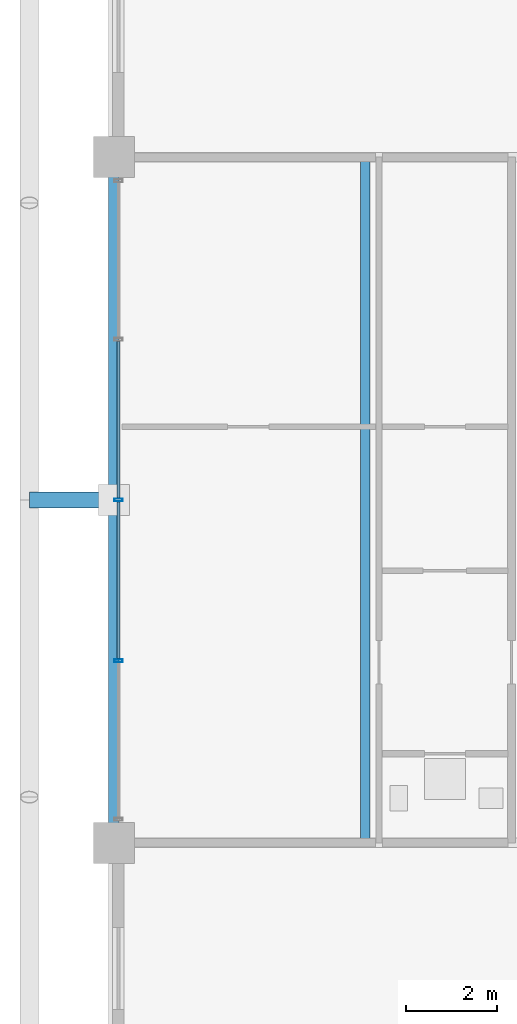
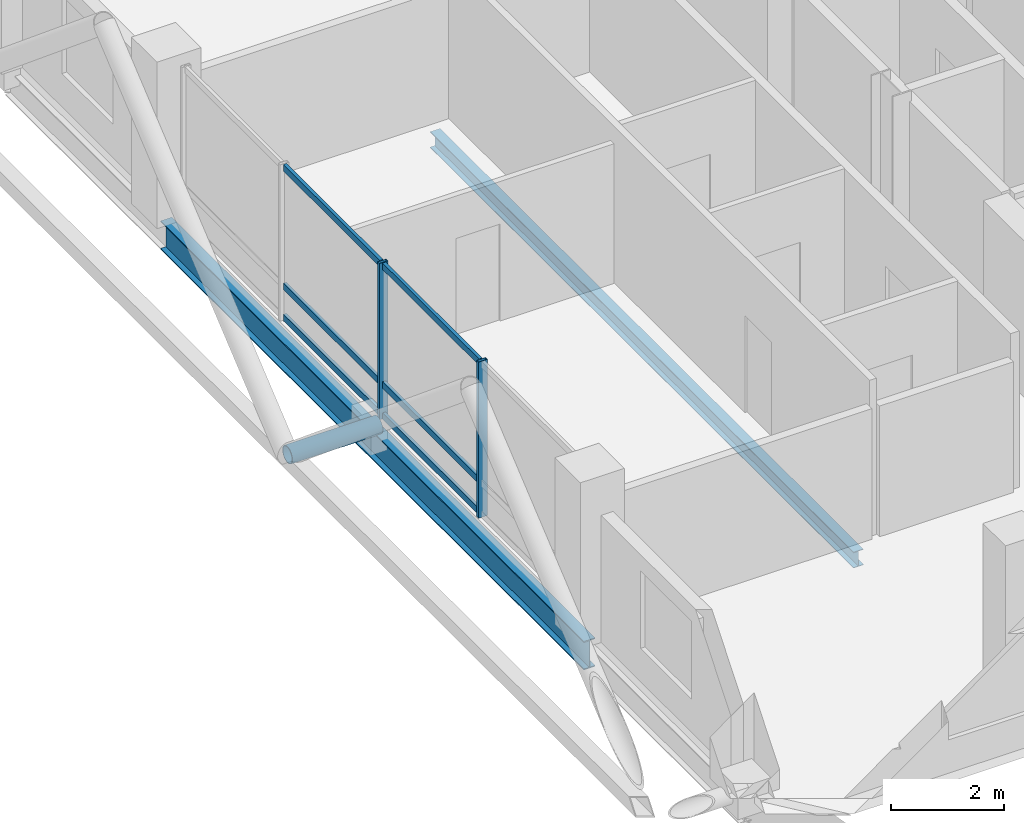
# One storey, part 8 of 25: 9 members, 2 beams, 1 element without a shape of its own.
"""IFC4 building model written with IfcOpenShell, lengths in metres."""

from ifc_helpers import new_model, si_unit, direction, frame, origin, origin_2d, place, context, subcontext, project, spatial, hollow_rectangle, hollow_circle, i_section, extrude, material, layer, layer_set, material_profile, profile_set, type_object, element, aggregate, save


model = new_model("IFC4")

# Units and contexts
model_context = context("Model", 3, precision=1e-05, world=origin(), true_north=direction((0.0, 1.0)))
body_context = subcontext(model_context, "Body", "Model", "MODEL_VIEW")
ifc_project = project(units=[si_unit("LENGTHUNIT", "METRE"), si_unit("AREAUNIT", "SQUARE_METRE"), si_unit("VOLUMEUNIT", "CUBIC_METRE"), si_unit("PLANEANGLEUNIT", "RADIAN"), si_unit("MASSUNIT", "GRAM", prefix="KILO")], contexts=[model_context])

# Site, building, storey
site_placement = place(None, origin())
site = spatial("IfcSite", under=ifc_project, at=site_placement, CompositionType="ELEMENT")
building_placement = place(site_placement, origin())
building = spatial("IfcBuilding", under=site, at=building_placement, Name="Barlavira Tower and Art Museum", CompositionType="ELEMENT")
storey_placement = place(building_placement, frame((0.0, 0.0, 229.5)))
storey = spatial("IfcBuildingStorey", under=building, at=storey_placement, Name="L59", CompositionType="ELEMENT", Elevation=229.5)

# Curtain wall, members
ifc_material_1 = material(Name="Low-iron coastal laminated glass", Category="glass")
ifc_layer = layer(ifc_material_1, 0.2099609375, Name="Low-iron coastal laminated glass")
ifc_layer_set = layer_set([ifc_layer], Name="Low-iron coastal laminated glass")
curtain_wall_type = type_object("IfcCurtainWallType", Name="Pale-Metal Unitised Curtain Wall Zone 4", PredefinedType="NOTDEFINED", material=ifc_layer_set)
curtain_wall_placement = place(storey_placement, origin())
curtain_wall = element("IfcCurtainWall", 1, at=curtain_wall_placement, inside=storey, type_object=curtain_wall_type, Name="L59 Curtain Wall CW4-L59-W-B3", PredefinedType="NOTDEFINED")
ifc_material_2 = material(Name="Pale anodised aluminium", Category="aluminium")
ifc_material_profile_1 = material_profile(ifc_material_2, hollow_rectangle(XDim=0.06494140625, YDim=0.179931640625, WallThickness=0.00390625, at=origin_2d()), Name="ALU-MULL 65x180x4")
ifc_profile_set_1 = profile_set([ifc_material_profile_1], Name="Pale anodised aluminium")
member_type_1 = type_object("IfcMemberType", Name="Curtain Wall Pale-Metal Mullion 65x180", PredefinedType="MULLION", material=ifc_profile_set_1)
member_1_placement = place(storey_placement, frame((-16.89990234375, 0.0, 0.0), z_axis=(0.0, 0.0, 1.0), x_axis=(0.0, -1.0, 0.0)))
member_1 = element("IfcMember", 2, at=member_1_placement, type_object=member_type_1, Name="CW4-L59-W-B3 Mullion 2", PredefinedType="MULLION", context=body_context, shape_type="SweptSolid", body=[
    extrude(hollow_rectangle(XDim=0.06494140625, YDim=0.179931640625, WallThickness=0.00390625, at=origin_2d()), origin(), (0.0, 0.0, 1.0), 3.3798828125),
])
member_2_placement = place(storey_placement, frame((-16.89990234375, -3.514892578125, 0.0), z_axis=(0.0, 0.0, 1.0), x_axis=(0.0, -1.0, 0.0)))
member_2 = element("IfcMember", 3, at=member_2_placement, type_object=member_type_1, Name="CW4-L59-W-B3 Mullion 3", PredefinedType="MULLION", context=body_context, shape_type="SweptSolid", body=[
    extrude(hollow_rectangle(XDim=0.06494140625, YDim=0.179931640625, WallThickness=0.00390625, at=origin_2d()), origin(), (0.0, 0.0, 1.0), 3.3798828125),
])
ifc_material_profile_2 = material_profile(ifc_material_2, hollow_rectangle(XDim=0.06494140625, YDim=0.139892578125, WallThickness=0.00390625, at=origin_2d()), Name="ALU-TRAN 65x140x4")
ifc_profile_set_2 = profile_set([ifc_material_profile_2], Name="Pale anodised aluminium")
member_type_2 = type_object("IfcMemberType", Name="Curtain Wall Pale-Metal Transom 65x140", PredefinedType="USERDEFINED", material=ifc_profile_set_2)
member_3_placement = place(storey_placement, frame((-16.89990234375, 3.469970703125, 0.070068359375), z_axis=(0.0, -1.0, 0.0), x_axis=(1.0, 0.0, 0.0)))
member_3 = element("IfcMember", 4, at=member_3_placement, type_object=member_type_2, Name="CW4-L59-W-B3 Transom 1.1", ObjectType="TRANSOM", PredefinedType="USERDEFINED", context=body_context, shape_type="SweptSolid", body=[
    extrude(hollow_rectangle(XDim=0.06494140625, YDim=0.139892578125, WallThickness=0.00390625, at=origin_2d()), origin(), (0.0, 0.0, 1.0), 3.425048828125),
])
member_4_placement = place(storey_placement, frame((-16.89990234375, 3.469970703125, 0.743896484375), z_axis=(0.0, -1.0, 0.0), x_axis=(1.0, 0.0, 0.0)))
member_4 = element("IfcMember", 5, at=member_4_placement, type_object=member_type_2, Name="CW4-L59-W-B3 Transom 1.2", ObjectType="TRANSOM", PredefinedType="USERDEFINED", context=body_context, shape_type="SweptSolid", body=[
    extrude(hollow_rectangle(XDim=0.06494140625, YDim=0.139892578125, WallThickness=0.00390625, at=origin_2d()), origin(), (0.0, 0.0, 1.0), 3.425048828125),
])
member_5_placement = place(storey_placement, frame((-16.89990234375, 3.469970703125, 3.31005859375), z_axis=(0.0, -1.0, 0.0), x_axis=(1.0, 0.0, 0.0)))
member_5 = element("IfcMember", 6, at=member_5_placement, type_object=member_type_2, Name="CW4-L59-W-B3 Transom 1.3", ObjectType="TRANSOM", PredefinedType="USERDEFINED", context=body_context, shape_type="SweptSolid", body=[
    extrude(hollow_rectangle(XDim=0.06494140625, YDim=0.139892578125, WallThickness=0.00390625, at=origin_2d()), origin(), (0.0, 0.0, 1.0), 3.425048828125),
])
member_6_placement = place(storey_placement, frame((-16.89990234375, -0.044921875, 0.070068359375), z_axis=(0.0, -1.0, 0.0), x_axis=(1.0, 0.0, 0.0)))
member_6 = element("IfcMember", 7, at=member_6_placement, type_object=member_type_2, Name="CW4-L59-W-B3 Transom 2.1", ObjectType="TRANSOM", PredefinedType="USERDEFINED", context=body_context, shape_type="SweptSolid", body=[
    extrude(hollow_rectangle(XDim=0.06494140625, YDim=0.139892578125, WallThickness=0.00390625, at=origin_2d()), origin(), (0.0, 0.0, 1.0), 3.425048828125),
])
member_7_placement = place(storey_placement, frame((-16.89990234375, -0.044921875, 0.743896484375), z_axis=(0.0, -1.0, 0.0), x_axis=(1.0, 0.0, 0.0)))
member_7 = element("IfcMember", 8, at=member_7_placement, type_object=member_type_2, Name="CW4-L59-W-B3 Transom 2.2", ObjectType="TRANSOM", PredefinedType="USERDEFINED", context=body_context, shape_type="SweptSolid", body=[
    extrude(hollow_rectangle(XDim=0.06494140625, YDim=0.139892578125, WallThickness=0.00390625, at=origin_2d()), origin(), (0.0, 0.0, 1.0), 3.425048828125),
])
member_8_placement = place(storey_placement, frame((-16.89990234375, -0.044921875, 3.31005859375), z_axis=(0.0, -1.0, 0.0), x_axis=(1.0, 0.0, 0.0)))
member_8 = element("IfcMember", 9, at=member_8_placement, type_object=member_type_2, Name="CW4-L59-W-B3 Transom 2.3", ObjectType="TRANSOM", PredefinedType="USERDEFINED", context=body_context, shape_type="SweptSolid", body=[
    extrude(hollow_rectangle(XDim=0.06494140625, YDim=0.139892578125, WallThickness=0.00390625, at=origin_2d()), origin(), (0.0, 0.0, 1.0), 3.425048828125),
])
aggregate(curtain_wall, [member_1, member_2, member_3, member_4, member_5, member_6, member_7, member_8])

# Member
ifc_material_3 = material(Name="Steel S355", Category="steel")
ifc_material_profile_3 = material_profile(ifc_material_3, hollow_circle(Radius=0.177734375, WallThickness=0.01611328125, at=origin_2d()), Name="CHS 355.6x16.0")
ifc_profile_set_3 = profile_set([ifc_material_profile_3], Name="Steel S355")
member_type_3 = type_object("IfcMemberType", Name="Pale-Metal Exoskeleton Tie Strut CHS 356x16 Steel S355", PredefinedType="STRUT", material=ifc_profile_set_3)
member_9_placement = place(storey_placement, frame((-18.85009765625, 0.0, -0.1201171875), z_axis=(1.0, 0.0, 0.0), x_axis=(0.0, 1.0, 0.0)))
element("IfcMember", 10, at=member_9_placement, inside=storey, type_object=member_type_3, Name="L59 Exoskeleton Tie Strut W2", PredefinedType="STRUT", context=body_context, shape_type="SweptSolid", body=[
    extrude(hollow_circle(Radius=0.177734375, WallThickness=0.01611328125, at=origin_2d()), origin(), (0.0, 0.0, 1.0), 1.85009765625),
])

# Beams
ifc_material_profile_4 = material_profile(ifc_material_3, i_section(OverallWidth=0.22998046875, OverallDepth=0.616943359375, WebThickness=0.01318359375, FlangeThickness=0.022216796875, at=origin_2d()), Name="W610x140.0")
ifc_profile_set_4 = profile_set([ifc_material_profile_4], Name="Steel S355")
beam_type_1 = type_object("IfcBeamType", Name="Upper Shaft Spandrel Edge Beam W610x140 Steel S355", PredefinedType="SPANDREL", material=ifc_profile_set_4)
beam_1_placement = place(storey_placement, frame((-17.0, -7.5, -0.528564453125), z_axis=(0.0, 1.0, 0.0), x_axis=(-1.0, 0.0, 0.0)))
element("IfcBeam", 11, at=beam_1_placement, inside=storey, type_object=beam_type_1, Name="L59 Spandrel 14", PredefinedType="SPANDREL", context=body_context, shape_type="SweptSolid", body=[
    extrude(i_section(OverallWidth=0.22998046875, OverallDepth=0.616943359375, WebThickness=0.01318359375, FlangeThickness=0.022216796875, at=origin_2d()), origin(), (0.0, 0.0, 1.0), 15.0),
])
ifc_material_profile_5 = material_profile(ifc_material_3, i_section(OverallWidth=0.202880859375, OverallDepth=0.346923828125, WebThickness=0.0078125, FlangeThickness=0.013427734375, at=origin_2d()), Name="W360x64.0")
ifc_profile_set_5 = profile_set([ifc_material_profile_5], Name="Steel S355")
beam_type_2 = type_object("IfcBeamType", Name="Zone 4 Composite Floor Joist W360x64 Steel S355", PredefinedType="JOIST", material=ifc_profile_set_5)
beam_2_placement = place(storey_placement, frame((-11.5, -7.5, -0.3935546875), z_axis=(0.0, 1.0, 0.0), x_axis=(-1.0, 0.0, 0.0)))
element("IfcBeam", 12, at=beam_2_placement, inside=storey, type_object=beam_type_2, Name="L59 Joist W1", PredefinedType="JOIST", context=body_context, shape_type="SweptSolid", body=[
    extrude(i_section(OverallWidth=0.202880859375, OverallDepth=0.346923828125, WebThickness=0.0078125, FlangeThickness=0.013427734375, at=origin_2d()), origin(), (0.0, 0.0, 1.0), 15.0),
])

save(model, "model.ifc")
